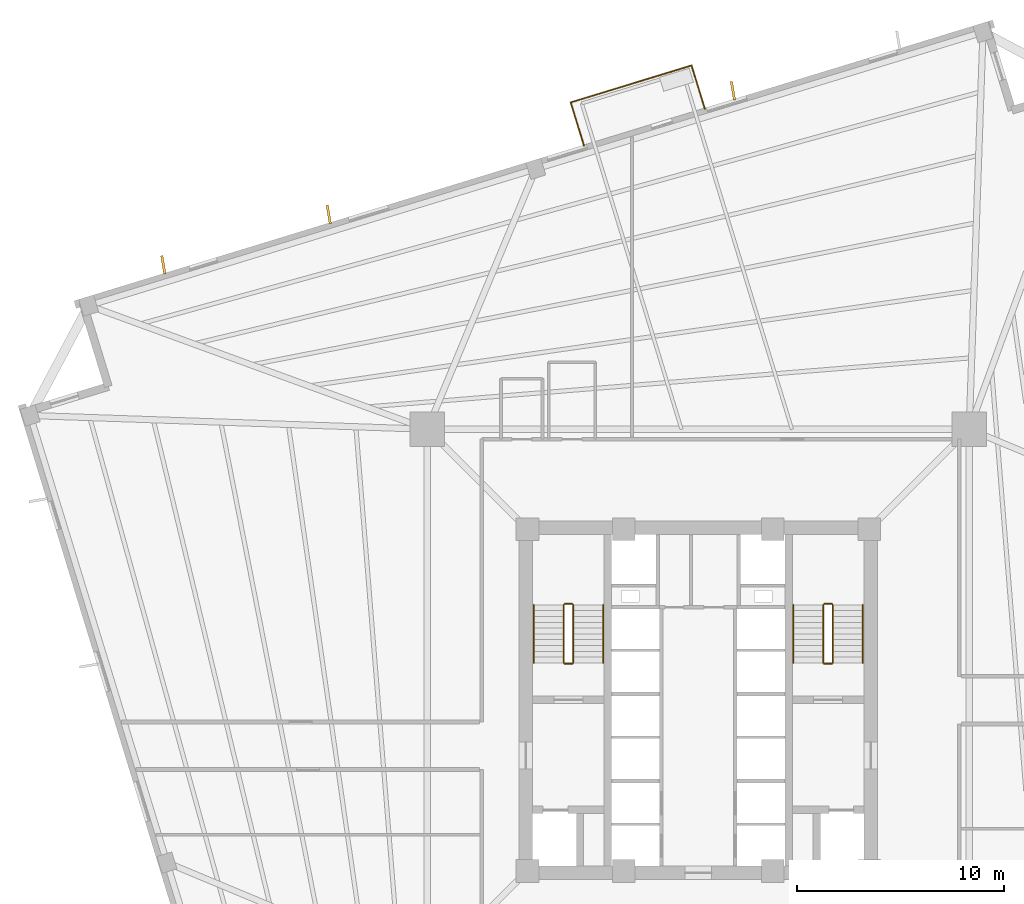
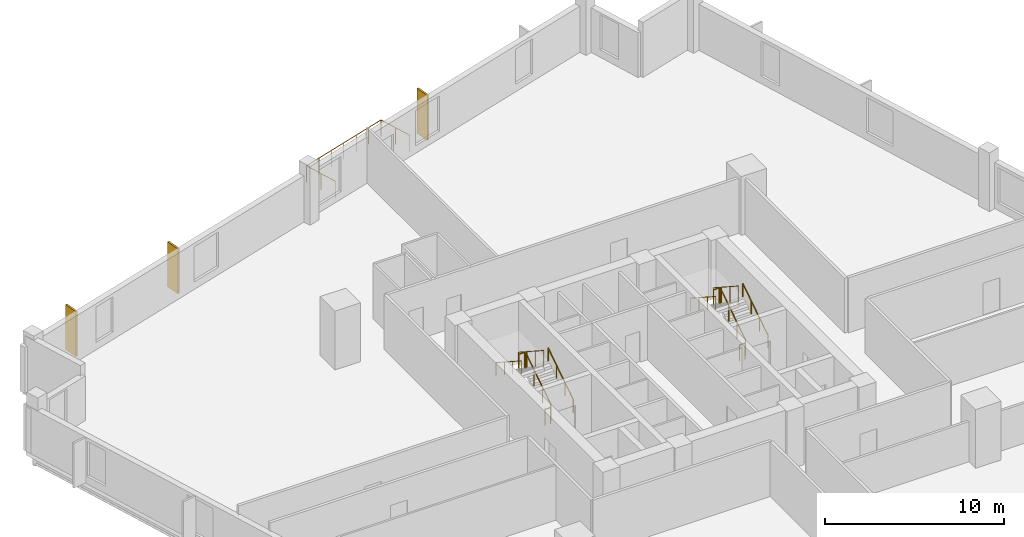
# One storey, part 7 of 8: 15 railings, 3 coverings.
"""IFC4 building model written with IfcOpenShell, lengths in metres."""

from ifc_helpers import new_model, si_unit, direction, frame, origin, origin_2d, place, context, subcontext, project, spatial, rectangle, circle, extrude, source, transform, mapped, material, layer, layer_set, type_object, element, save


model = new_model("IFC4")

# Units and contexts
model_context = context("Model", 3, precision=1e-05, world=origin(), true_north=direction((0.0, 1.0)))
body_context = subcontext(model_context, "Body", "Model", "MODEL_VIEW")
ifc_project = project(units=[si_unit("LENGTHUNIT", "METRE"), si_unit("AREAUNIT", "SQUARE_METRE"), si_unit("VOLUMEUNIT", "CUBIC_METRE"), si_unit("PLANEANGLEUNIT", "RADIAN"), si_unit("MASSUNIT", "GRAM", prefix="KILO"), si_unit("THERMODYNAMICTEMPERATUREUNIT", "KELVIN")], contexts=[model_context])

# Site, building, storey
site_placement = place(None, origin())
site = spatial("IfcSite", under=ifc_project, at=site_placement, CompositionType="ELEMENT")
building_placement = place(site_placement, origin())
building = spatial("IfcBuilding", under=site, at=building_placement, Name="Kosmvard Interchange Tower", CompositionType="ELEMENT")
storey_placement = place(building_placement, frame((0.0, 0.0, 103.199951171875)))
storey = spatial("IfcBuildingStorey", under=building, at=storey_placement, Name="L24", CompositionType="ELEMENT", Elevation=103.199951171875)

# Railings
ifc_material_1 = material(Name="Steel S355", Category="steel")
railing_type_1 = type_object("IfcRailingType", Name="Observation & Balcony Glass-Infill Balustrade 1150", PredefinedType="BALUSTRADE", material=ifc_material_1)
shared_shape_1 = source(origin(), body_context, "Body", "SweptSolid", [
    extrude(circle(Radius=0.02392578125, at=origin_2d()), frame((0.0, 0.0, 1.1259765625), z_axis=(-0.292424349234, 0.956288659336, 0.0), x_axis=(-0.956288659336, -0.292424349234, 0.0)), (0.0, 0.0, 1.0), 2.199951171875),
    extrude(circle(Radius=0.02099609375, at=origin_2d()), origin(), (0.0, 0.0, 1.0), 1.101806640625),
    extrude(circle(Radius=0.02099609375, at=origin_2d()), frame((-0.32177734375, 1.0517578125, 0.0)), (0.0, 0.0, 1.0), 1.101806640625),
    extrude(circle(Radius=0.02099609375, at=origin_2d()), frame((-0.643310546875, 2.103759765625, 0.0)), (0.0, 0.0, 1.0), 1.101806640625),
])
railing_1_placement = place(storey_placement, frame((0.319580078125, 28.54052734375, 0.0)))
element("IfcRailing", 1, at=railing_1_placement, inside=storey, type_object=railing_type_1, Name="L24 Outdoor Terrace Guard BAL-L24-N-A", PredefinedType="BALUSTRADE", context=body_context, shape_type="MappedRepresentation", body=[
    mapped(shared_shape_1, transform((0.0, 0.0, 0.0), scale=1.0)),
])
shared_shape_2 = source(origin(), body_context, "Body", "SweptSolid", [
    extrude(circle(Radius=0.02392578125, at=origin_2d()), frame((0.0, 0.0, 1.1259765625), z_axis=(0.292424349234, -0.956288659336, 0.0), x_axis=(0.956288659336, 0.292424349234, 0.0)), (0.0, 0.0, 1.0), 2.199951171875),
    extrude(circle(Radius=0.02099609375, at=origin_2d()), origin(), (0.0, 0.0, 1.0), 1.101806640625),
    extrude(circle(Radius=0.02099609375, at=origin_2d()), frame((0.32177734375, -1.0517578125, 0.0)), (0.0, 0.0, 1.0), 1.101806640625),
    extrude(circle(Radius=0.02099609375, at=origin_2d()), frame((0.643310546875, -2.103759765625, 0.0)), (0.0, 0.0, 1.0), 1.101806640625),
])
railing_2_placement = place(storey_placement, frame((-6.1572265625, 28.86083984375, 0.0)))
element("IfcRailing", 2, at=railing_2_placement, inside=storey, type_object=railing_type_1, Name="L24 Outdoor Terrace Guard BAL-L24-N-C", PredefinedType="BALUSTRADE", context=body_context, shape_type="MappedRepresentation", body=[
    mapped(shared_shape_2, transform((0.0, 0.0, 0.0), scale=1.0)),
])

# Coverings
ifc_material_2 = material(Name="Architectural anodised aluminium", Category="aluminium")
ifc_layer = layer(ifc_material_2, 0.1201171875, Name="Architectural anodised aluminium")
ifc_layer_set = layer_set([ifc_layer], Name="Architectural anodised aluminium")
covering_type = type_object("IfcCoveringType", Name="Rotating Vertical Sun-Breaker Fin 900x120 Aluminium", PredefinedType="CLADDING", material=ifc_layer_set)
shared_shape_3 = source(origin(), body_context, "Body", "SweptSolid", [
    extrude(rectangle(XDim=0.89990234375, YDim=0.1201171875, at=origin_2d()), origin(), (0.0, 0.0, 1.0), 3.06005859375),
])
for number, where, z_axis, x_axis, name in (
    (3, (1.673583984375, 29.425048828125, 0.0400390625), (0.0, 0.0, 1.0), (-0.166080351041, 0.986112223329, 0.0), "L24 Rotating Vertical Sun-Breaker Fin 10"),
    (4, (-17.841796875, 23.45849609375, 0.0400390625), (0.0, 0.0, 1.0), (-0.166080351041, 0.986112223329, 0.0), "L24 Rotating Vertical Sun-Breaker Fin 11"),
    (5, (-25.825439453125, 21.017822265625, 0.0400390625), (0.0, 0.0, 1.0), (-0.166080351041, 0.986112223329, 0.0), "L24 Rotating Vertical Sun-Breaker Fin 12"),
):
    element("IfcCovering", number, at=place(storey_placement, frame(where, z_axis=z_axis, x_axis=x_axis)), inside=storey, type_object=covering_type, Name=name, PredefinedType="CLADDING", context=body_context, shape_type="MappedRepresentation", body=[
        mapped(shared_shape_3, transform((0.0, 0.0, 0.0), scale=1.0)),
    ])

# Railings
shared_shape_4 = source(origin(), body_context, "Body", "SweptSolid", [
    extrude(circle(Radius=0.02392578125, at=origin_2d()), frame((0.0, 0.0, 1.1259765625), z_axis=(-0.956306198406, -0.292366986664, 0.0), x_axis=(0.292366986664, -0.956306198406, 0.0)), (0.0, 0.0, 1.0), 6.10009765625),
    extrude(circle(Radius=0.02099609375, at=origin_2d()), origin(), (0.0, 0.0, 1.0), 1.101806640625),
    extrude(circle(Radius=0.02099609375, at=origin_2d()), frame((-0.97216796875, -0.29736328125, 0.0)), (0.0, 0.0, 1.0), 1.101806640625),
    extrude(circle(Radius=0.02099609375, at=origin_2d()), frame((-1.944580078125, -0.594482421875, 0.0)), (0.0, 0.0, 1.0), 1.101806640625),
    extrude(circle(Radius=0.02099609375, at=origin_2d()), frame((-2.916748046875, -0.8916015625, 0.0)), (0.0, 0.0, 1.0), 1.101806640625),
    extrude(circle(Radius=0.02099609375, at=origin_2d()), frame((-3.888916015625, -1.18896484375, 0.0)), (0.0, 0.0, 1.0), 1.101806640625),
    extrude(circle(Radius=0.02099609375, at=origin_2d()), frame((-4.861328125, -1.486328125, 0.0)), (0.0, 0.0, 1.0), 1.101806640625),
    extrude(circle(Radius=0.02099609375, at=origin_2d()), frame((-5.83349609375, -1.783447265625, 0.0)), (0.0, 0.0, 1.0), 1.101806640625),
])
railing_3_placement = place(storey_placement, frame((-0.32373046875, 30.644287109375, 0.0)))
element("IfcRailing", 6, at=railing_3_placement, inside=storey, type_object=railing_type_1, Name="L24 Outdoor Terrace Guard BAL-L24-N-B", PredefinedType="BALUSTRADE", context=body_context, shape_type="MappedRepresentation", body=[
    mapped(shared_shape_4, transform((0.0, 0.0, 0.0), scale=1.0)),
])
railing_type_2 = type_object("IfcRailingType", Name="Stair & Terrace Safety Guardrail 1100 Steel", PredefinedType="GUARDRAIL", material=ifc_material_1)
shared_shape_5 = source(origin(), body_context, "Body", "SweptSolid", [
    extrude(circle(Radius=0.02392578125, at=origin_2d()), frame((0.0, 0.0, 1.076171875), z_axis=(-1.0, 0.0, 0.0), x_axis=(0.0, -1.0, 0.0)), (0.0, 0.0, 1.0), 0.35986328125),
    extrude(circle(Radius=0.02099609375, at=origin_2d()), origin(), (0.0, 0.0, 1.0), 1.052001953125),
    extrude(circle(Radius=0.02099609375, at=origin_2d()), frame((-0.35986328125, 0.0, 0.0)), (0.0, 0.0, 1.0), 1.052001953125),
])
for number, where, name in (
    (7, (-6.090087890625, 4.64990234375, 2.0), "L24 ST-1 stair guard 2"),
    (8, (-6.090087890625, 1.75, 0.0), "L24 ST-1 stair guard 4"),
    (9, (6.449951171875, 4.64990234375, 2.0), "L24 ST-2 stair guard 2"),
    (10, (6.449951171875, 1.75, 0.0), "L24 ST-2 stair guard 4"),
):
    element("IfcRailing", number, at=place(storey_placement, frame(where)), inside=storey, type_object=railing_type_2, Name=name, PredefinedType="GUARDRAIL", context=body_context, shape_type="MappedRepresentation", body=[
        mapped(shared_shape_5, transform((0.0, 0.0, 0.0), scale=1.0)),
    ])
shared_shape_6 = source(origin(), body_context, "Body", "SweptSolid", [
    extrude(circle(Radius=0.02392578125, at=origin_2d()), frame((0.0, 0.0, 1.076171875), z_axis=(0.0, 0.838705829183, 0.544584733623), x_axis=(-1.0, 0.0, 0.0)), (0.0, 0.0, 1.0), 3.338623046875),
    extrude(circle(Radius=0.02099609375, at=origin_2d()), origin(), (0.0, 0.0, 1.0), 1.052001953125),
    extrude(circle(Radius=0.02099609375, at=origin_2d()), frame((0.0, 0.933349609375, 0.60595703125)), (0.0, 0.0, 1.0), 1.052001953125),
    extrude(circle(Radius=0.02099609375, at=origin_2d()), frame((0.0, 1.86669921875, 1.212158203125)), (0.0, 0.0, 1.0), 1.052001953125),
    extrude(circle(Radius=0.02099609375, at=origin_2d()), frame((0.0, 2.800048828125, 1.818115234375)), (0.0, 0.0, 1.0), 1.052001953125),
])
for number, where, name in (
    (11, (-6.0400390625, 1.800048828125, 0.181884765625), "L24 ST-1 stair guard 1"),
    (12, (6.5, 1.800048828125, 0.181884765625), "L24 ST-2 stair guard 1"),
):
    element("IfcRailing", number, at=place(storey_placement, frame(where)), inside=storey, type_object=railing_type_2, Name=name, PredefinedType="GUARDRAIL", context=body_context, shape_type="MappedRepresentation", body=[
        mapped(shared_shape_6, transform((0.0, 0.0, 0.0), scale=1.0)),
    ])
shared_shape_7 = source(origin(), body_context, "Body", "SweptSolid", [
    extrude(circle(Radius=0.02392578125, at=origin_2d()), frame((0.0, 0.0, 1.076171875), z_axis=(0.0, -0.838705829183, 0.544584733623), x_axis=(1.0, 0.0, 0.0)), (0.0, 0.0, 1.0), 3.338623046875),
    extrude(circle(Radius=0.02099609375, at=origin_2d()), origin(), (0.0, 0.0, 1.0), 1.052001953125),
    extrude(circle(Radius=0.02099609375, at=origin_2d()), frame((0.0, -0.933349609375, 0.60595703125)), (0.0, 0.0, 1.0), 1.052001953125),
    extrude(circle(Radius=0.02099609375, at=origin_2d()), frame((0.0, -1.86669921875, 1.212158203125)), (0.0, 0.0, 1.0), 1.052001953125),
    extrude(circle(Radius=0.02099609375, at=origin_2d()), frame((0.0, -2.800048828125, 1.818115234375)), (0.0, 0.0, 1.0), 1.052001953125),
])
for number, where, name in (
    (13, (-6.5, 4.60009765625, 2.181884765625), "L24 ST-1 stair guard 3"),
    (14, (6.0400390625, 4.60009765625, 2.181884765625), "L24 ST-2 stair guard 3"),
):
    element("IfcRailing", number, at=place(storey_placement, frame(where)), inside=storey, type_object=railing_type_2, Name=name, PredefinedType="GUARDRAIL", context=body_context, shape_type="MappedRepresentation", body=[
        mapped(shared_shape_7, transform((0.0, 0.0, 0.0), scale=1.0)),
    ])
railing_type_3 = type_object("IfcRailingType", Name="Wall-Mounted Stair Handrail 900 Steel", PredefinedType="HANDRAIL", material=ifc_material_1)
shared_shape_8 = source(origin(), body_context, "Body", "SweptSolid", [
    extrude(circle(Radius=0.02392578125, at=origin_2d()), frame((0.0, 0.0, 0.8759765625), z_axis=(0.0, 0.838705829183, 0.544584733623), x_axis=(-1.0, 0.0, 0.0)), (0.0, 0.0, 1.0), 3.338623046875),
    extrude(circle(Radius=0.02099609375, at=origin_2d()), origin(), (0.0, 0.0, 1.0), 0.851806640625),
    extrude(circle(Radius=0.02099609375, at=origin_2d()), frame((0.0, 0.933349609375, 0.60595703125)), (0.0, 0.0, 1.0), 0.851806640625),
    extrude(circle(Radius=0.02099609375, at=origin_2d()), frame((0.0, 1.86669921875, 1.212158203125)), (0.0, 0.0, 1.0), 0.851806640625),
    extrude(circle(Radius=0.02099609375, at=origin_2d()), frame((0.0, 2.800048828125, 1.818115234375)), (0.0, 0.0, 1.0), 0.851806640625),
])
for number, where, name in (
    (15, (-4.590087890625, 1.800048828125, 0.181884765625), "L24 ST-1 stair handrail 1"),
    (16, (7.949951171875, 1.800048828125, 0.181884765625), "L24 ST-2 stair handrail 1"),
):
    element("IfcRailing", number, at=place(storey_placement, frame(where)), inside=storey, type_object=railing_type_3, Name=name, PredefinedType="HANDRAIL", context=body_context, shape_type="MappedRepresentation", body=[
        mapped(shared_shape_8, transform((0.0, 0.0, 0.0), scale=1.0)),
    ])
shared_shape_9 = source(origin(), body_context, "Body", "SweptSolid", [
    extrude(circle(Radius=0.02392578125, at=origin_2d()), frame((0.0, 0.0, 0.8759765625), z_axis=(0.0, -0.838705829183, 0.544584733623), x_axis=(1.0, 0.0, 0.0)), (0.0, 0.0, 1.0), 3.338623046875),
    extrude(circle(Radius=0.02099609375, at=origin_2d()), origin(), (0.0, 0.0, 1.0), 0.851806640625),
    extrude(circle(Radius=0.02099609375, at=origin_2d()), frame((0.0, -0.933349609375, 0.60595703125)), (0.0, 0.0, 1.0), 0.851806640625),
    extrude(circle(Radius=0.02099609375, at=origin_2d()), frame((0.0, -1.86669921875, 1.212158203125)), (0.0, 0.0, 1.0), 0.851806640625),
    extrude(circle(Radius=0.02099609375, at=origin_2d()), frame((0.0, -2.800048828125, 1.818115234375)), (0.0, 0.0, 1.0), 0.851806640625),
])
for number, where, name in (
    (17, (-7.949951171875, 4.60009765625, 2.181884765625), "L24 ST-1 stair handrail 2"),
    (18, (4.590087890625, 4.60009765625, 2.181884765625), "L24 ST-2 stair handrail 2"),
):
    element("IfcRailing", number, at=place(storey_placement, frame(where)), inside=storey, type_object=railing_type_3, Name=name, PredefinedType="HANDRAIL", context=body_context, shape_type="MappedRepresentation", body=[
        mapped(shared_shape_9, transform((0.0, 0.0, 0.0), scale=1.0)),
    ])

save(model, "model.ifc")
